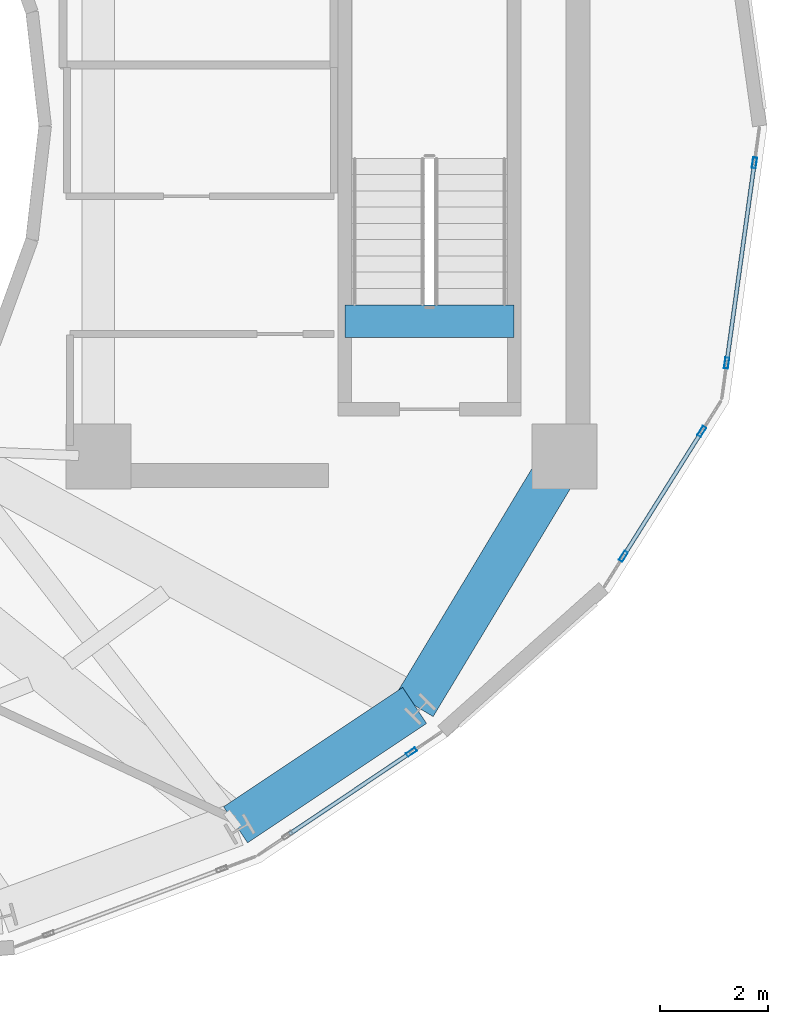
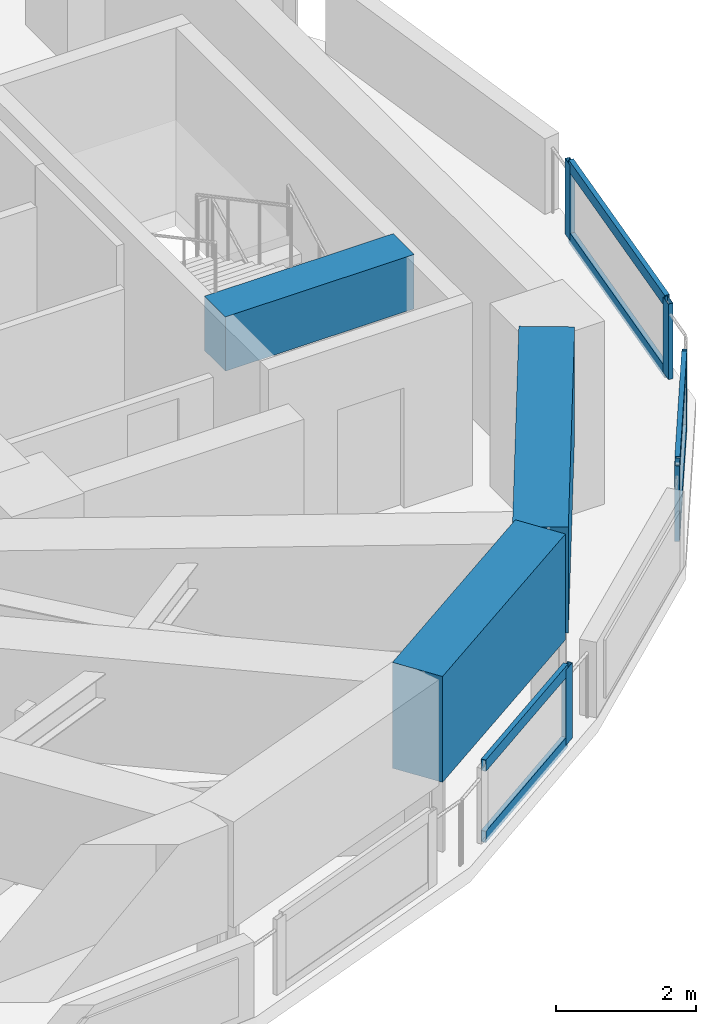
# One storey, part 10 of 17: 11 members, 3 beams, 3 elements without a shape of their own.
"""IFC4 building model written with IfcOpenShell, lengths in metres."""

from ifc_helpers import new_model, si_unit, direction, frame, origin, origin_2d, place, context, subcontext, project, spatial, rectangle, hollow_rectangle, extrude, material, layer, layer_set, material_profile, profile_set, type_object, element, aggregate, save


model = new_model("IFC4")

# Units and contexts
model_context = context("Model", 3, precision=1e-05, world=origin(), true_north=direction((0.0, 1.0)))
body_context = subcontext(model_context, "Body", "Model", "MODEL_VIEW")
ifc_project = project(units=[si_unit("LENGTHUNIT", "METRE"), si_unit("AREAUNIT", "SQUARE_METRE"), si_unit("VOLUMEUNIT", "CUBIC_METRE"), si_unit("PLANEANGLEUNIT", "RADIAN"), si_unit("MASSUNIT", "GRAM", prefix="KILO")], contexts=[model_context])

# Site, building, storey
site_placement = place(None, origin())
site = spatial("IfcSite", under=ifc_project, at=site_placement, CompositionType="ELEMENT")
building_placement = place(site_placement, origin())
building = spatial("IfcBuilding", under=site, at=building_placement, Name="Solvane Sanctuary Tower", CompositionType="ELEMENT")
storey_placement = place(building_placement, frame((0.0, 0.0, 273.199951171875)))
storey = spatial("IfcBuildingStorey", under=building, at=storey_placement, Name="L83", CompositionType="ELEMENT", Elevation=273.199951171875)

# Beams
ifc_material_1 = material(Name="Concrete C70/85", Category="concrete")
ifc_material_profile_1 = material_profile(ifc_material_1, rectangle(XDim=0.60009765625, YDim=0.949951171875, at=origin_2d()), Name="RC600X950")
ifc_profile_set_1 = profile_set([ifc_material_profile_1], Name="Concrete C70/85")
beam_type_1 = type_object("IfcBeamType", Name="Beam B-COUPLE RC600X950", PredefinedType="LINTEL", material=ifc_profile_set_1)
beam_1_placement = place(storey_placement, frame((44.64990234375, 19.399169921875, 2.72509765625), z_axis=(1.0, 0.0, 0.0), x_axis=(0.0, 1.0, 0.0)))
element("IfcBeam", 1, at=beam_1_placement, inside=storey, type_object=beam_type_1, Name="L83 ST-2 Stair Floor Landing Trimmer", PredefinedType="LINTEL", context=body_context, shape_type="SweptSolid", body=[
    extrude(rectangle(XDim=0.60009765625, YDim=0.949951171875, at=origin_2d()), origin(), (0.0, 0.0, 1.0), 3.1201171875),
])
ifc_material_profile_2 = material_profile(ifc_material_1, rectangle(XDim=0.800048828125, YDim=1.85009765625, at=origin_2d()), Name="RC800X1850")
ifc_profile_set_2 = profile_set([ifc_material_profile_2], Name="Concrete C70/85")
beam_type_2 = type_object("IfcBeamType", Name="Beam B-XFER-BLK RC800X1850", PredefinedType="BEAM", material=ifc_profile_set_2)
beam_2_placement = place(storey_placement, frame((42.632080078125, 10.10498046875, 2.275146484375), z_axis=(0.832059756054, 0.554686003389, 0.0), x_axis=(-0.554686003389, 0.832059756054, 0.0)))
element("IfcBeam", 2, at=beam_2_placement, inside=storey, type_object=beam_type_2, Name="L83 Perimeter Step Transfer Ring NTC13-NTC14", PredefinedType="BEAM", context=body_context, shape_type="SweptSolid", body=[
    extrude(rectangle(XDim=0.800048828125, YDim=1.85009765625, at=origin_2d()), origin(), (0.0, 0.0, 1.0), 3.9697265625),
])
beam_3_placement = place(storey_placement, frame((45.93505859375, 12.306884765625, 2.275146484375), z_axis=(0.515751522887, 0.856738213598, 0.0), x_axis=(-0.856738213598, 0.515751522887, 0.0)))
element("IfcBeam", 3, at=beam_3_placement, inside=storey, type_object=beam_type_2, Name="L83 Perimeter Step Transfer Ring NTC14-CE2", PredefinedType="BEAM", context=body_context, shape_type="SweptSolid", body=[
    extrude(rectangle(XDim=0.800048828125, YDim=1.85009765625, at=origin_2d()), origin(), (0.0, 0.0, 1.0), 5.001220703125),
])

# Curtain wall, member
ifc_material_2 = material(Name="Anodised Aluminium 6063-T6", Category="aluminium")
ifc_layer = layer(ifc_material_2, 0.219970703125, Name="Anodised Aluminium 6063-T6")
ifc_layer_set = layer_set([ifc_layer], Name="Anodised Aluminium 6063-T6")
curtain_wall_type = type_object("IfcCurtainWallType", Name="Curtain Wall CW-CROWN", PredefinedType="NOTDEFINED", material=ifc_layer_set)
curtain_wall_1_placement = place(storey_placement, origin())
curtain_wall_1 = element("IfcCurtainWall", 4, at=curtain_wall_1_placement, inside=storey, type_object=curtain_wall_type, Name="L83 Crown Fritted Lantern Curtain Wall 20", PredefinedType="NOTDEFINED")
ifc_material_profile_3 = material_profile(ifc_material_2, hollow_rectangle(XDim=0.074951171875, YDim=0.199951171875, WallThickness=0.00390625, at=origin_2d()), Name="ALU200X75X4")
ifc_profile_set_3 = profile_set([ifc_material_profile_3], Name="Anodised Aluminium 6063-T6")
member_type_1 = type_object("IfcMemberType", Name="Member M-CW-MUL-1 ALU200X75X4", PredefinedType="MULLION", material=ifc_profile_set_3)
member_1_placement = place(storey_placement, frame((45.876708984375, 11.44580078125, 0.0), z_axis=(0.0, 0.0, 1.0), x_axis=(-0.5575314263, 0.830155833978, 0.0)))
member_1 = element("IfcMember", 5, at=member_1_placement, type_object=member_type_1, Name="CW-CROWN mullion 2", PredefinedType="MULLION", context=body_context, shape_type="SweptSolid", body=[
    extrude(hollow_rectangle(XDim=0.074951171875, YDim=0.199951171875, WallThickness=0.00390625, at=origin_2d()), origin(), (0.0, 0.0, 1.0), 1.320068359375),
])

# Curtain wall, members
curtain_wall_2_placement = place(storey_placement, origin())
curtain_wall_2 = element("IfcCurtainWall", 6, at=curtain_wall_2_placement, inside=storey, type_object=curtain_wall_type, Name="L83 Crown Fritted Lantern Curtain Wall 22", PredefinedType="NOTDEFINED")
member_2_placement = place(storey_placement, frame((49.78759765625, 15.059326171875, 0.0), z_axis=(0.0, 0.0, 1.0), x_axis=(-0.846857735154, 0.53181949608, 0.0)))
member_2 = element("IfcMember", 7, at=member_2_placement, type_object=member_type_1, Name="CW-CROWN mullion 1", PredefinedType="MULLION", context=body_context, shape_type="SweptSolid", body=[
    extrude(hollow_rectangle(XDim=0.074951171875, YDim=0.199951171875, WallThickness=0.00390625, at=origin_2d()), origin(), (0.0, 0.0, 1.0), 1.320068359375),
])
member_3_placement = place(storey_placement, frame((51.23291015625, 17.36083984375, 0.0), z_axis=(0.0, 0.0, 1.0), x_axis=(-0.846857735154, 0.53181949608, 0.0)))
member_3 = element("IfcMember", 8, at=member_3_placement, type_object=member_type_1, Name="CW-CROWN mullion 2", PredefinedType="MULLION", context=body_context, shape_type="SweptSolid", body=[
    extrude(hollow_rectangle(XDim=0.074951171875, YDim=0.199951171875, WallThickness=0.00390625, at=origin_2d()), origin(), (0.0, 0.0, 1.0), 1.320068359375),
])

curtain_wall_3_placement = place(storey_placement, origin())
curtain_wall_3 = element("IfcCurtainWall", 9, at=curtain_wall_3_placement, inside=storey, type_object=curtain_wall_type, Name="L83 Crown Fritted Lantern Curtain Wall 23", PredefinedType="NOTDEFINED")
member_4_placement = place(storey_placement, frame((51.693115234375, 18.6240234375, 0.0), z_axis=(0.0, 0.0, 1.0), x_axis=(-0.990518314468, 0.137380743565, 0.0)))
member_4 = element("IfcMember", 10, at=member_4_placement, type_object=member_type_1, Name="CW-CROWN mullion 1", PredefinedType="MULLION", context=body_context, shape_type="SweptSolid", body=[
    extrude(hollow_rectangle(XDim=0.074951171875, YDim=0.199951171875, WallThickness=0.00390625, at=origin_2d()), origin(), (0.0, 0.0, 1.0), 1.320068359375),
])
member_5_placement = place(storey_placement, frame((52.20556640625, 22.319091796875, 0.0), z_axis=(0.0, 0.0, 1.0), x_axis=(-0.990518314468, 0.137380743565, 0.0)))
member_5 = element("IfcMember", 11, at=member_5_placement, type_object=member_type_1, Name="CW-CROWN mullion 2", PredefinedType="MULLION", context=body_context, shape_type="SweptSolid", body=[
    extrude(hollow_rectangle(XDim=0.074951171875, YDim=0.199951171875, WallThickness=0.00390625, at=origin_2d()), origin(), (0.0, 0.0, 1.0), 1.320068359375),
])

# Member
ifc_material_profile_4 = material_profile(ifc_material_2, hollow_rectangle(XDim=0.074951171875, YDim=0.199951171875, WallThickness=0.00390625, at=origin_2d()), Name="ALU200X75X4")
ifc_profile_set_4 = profile_set([ifc_material_profile_4], Name="Anodised Aluminium 6063-T6")
member_type_2 = type_object("IfcMemberType", Name="Member M-CW-TRN-2 ALU200X75X4", PredefinedType="USERDEFINED", material=ifc_profile_set_4)
member_6_placement = place(storey_placement, frame((43.624755859375, 9.93359375, 0.03759765625), z_axis=(0.83017829126, 0.557497986293, 0.0), x_axis=(-0.557497986293, 0.83017829126, 0.0)))
member_6 = element("IfcMember", 12, at=member_6_placement, type_object=member_type_2, Name="CW-CROWN transom 1.1", ObjectType="TRANSOM", PredefinedType="USERDEFINED", context=body_context, shape_type="SweptSolid", body=[
    extrude(hollow_rectangle(XDim=0.074951171875, YDim=0.199951171875, WallThickness=0.00390625, at=origin_2d()), origin(), (0.0, 0.0, 1.0), 2.67529296875),
])

member_7_placement = place(storey_placement, frame((43.624755859375, 9.93359375, 1.282470703125), z_axis=(0.83017829126, 0.557497986293, 0.0), x_axis=(-0.557497986293, 0.83017829126, 0.0)))
member_7 = element("IfcMember", 13, at=member_7_placement, type_object=member_type_2, Name="CW-CROWN transom 1.2", ObjectType="TRANSOM", PredefinedType="USERDEFINED", context=body_context, shape_type="SweptSolid", body=[
    extrude(hollow_rectangle(XDim=0.074951171875, YDim=0.199951171875, WallThickness=0.00390625, at=origin_2d()), origin(), (0.0, 0.0, 1.0), 2.67529296875),
])

aggregate(curtain_wall_1, [member_1, member_6, member_7])

member_8_placement = place(storey_placement, frame((49.8076171875, 15.091064453125, 0.03759765625), z_axis=(0.531832847295, 0.846849350557, 0.0), x_axis=(-0.846849350557, 0.531832847295, 0.0)))
member_8 = element("IfcMember", 14, at=member_8_placement, type_object=member_type_2, Name="CW-CROWN transom 1.1", ObjectType="TRANSOM", PredefinedType="USERDEFINED", context=body_context, shape_type="SweptSolid", body=[
    extrude(hollow_rectangle(XDim=0.074951171875, YDim=0.199951171875, WallThickness=0.00390625, at=origin_2d()), origin(), (0.0, 0.0, 1.0), 2.642822265625),
])

member_9_placement = place(storey_placement, frame((49.8076171875, 15.091064453125, 1.282470703125), z_axis=(0.531832847295, 0.846849350557, 0.0), x_axis=(-0.846849350557, 0.531832847295, 0.0)))
member_9 = element("IfcMember", 15, at=member_9_placement, type_object=member_type_2, Name="CW-CROWN transom 1.2", ObjectType="TRANSOM", PredefinedType="USERDEFINED", context=body_context, shape_type="SweptSolid", body=[
    extrude(hollow_rectangle(XDim=0.074951171875, YDim=0.199951171875, WallThickness=0.00390625, at=origin_2d()), origin(), (0.0, 0.0, 1.0), 2.642822265625),
])

aggregate(curtain_wall_2, [member_2, member_3, member_8, member_9])

member_10_placement = place(storey_placement, frame((51.6982421875, 18.6611328125, 0.03759765625), z_axis=(0.137380900022, 0.990518292769, 0.0), x_axis=(-0.990518292769, 0.137380900022, 0.0)))
member_10 = element("IfcMember", 16, at=member_10_placement, type_object=member_type_2, Name="CW-CROWN transom 1.1", ObjectType="TRANSOM", PredefinedType="USERDEFINED", context=body_context, shape_type="SweptSolid", body=[
    extrude(hollow_rectangle(XDim=0.074951171875, YDim=0.199951171875, WallThickness=0.00390625, at=origin_2d()), origin(), (0.0, 0.0, 1.0), 3.655517578125),
])

member_11_placement = place(storey_placement, frame((51.6982421875, 18.6611328125, 1.282470703125), z_axis=(0.137380900022, 0.990518292769, 0.0), x_axis=(-0.990518292769, 0.137380900022, 0.0)))
member_11 = element("IfcMember", 17, at=member_11_placement, type_object=member_type_2, Name="CW-CROWN transom 1.2", ObjectType="TRANSOM", PredefinedType="USERDEFINED", context=body_context, shape_type="SweptSolid", body=[
    extrude(hollow_rectangle(XDim=0.074951171875, YDim=0.199951171875, WallThickness=0.00390625, at=origin_2d()), origin(), (0.0, 0.0, 1.0), 3.655517578125),
])

aggregate(curtain_wall_3, [member_4, member_5, member_10, member_11])

save(model, "model.ifc")
